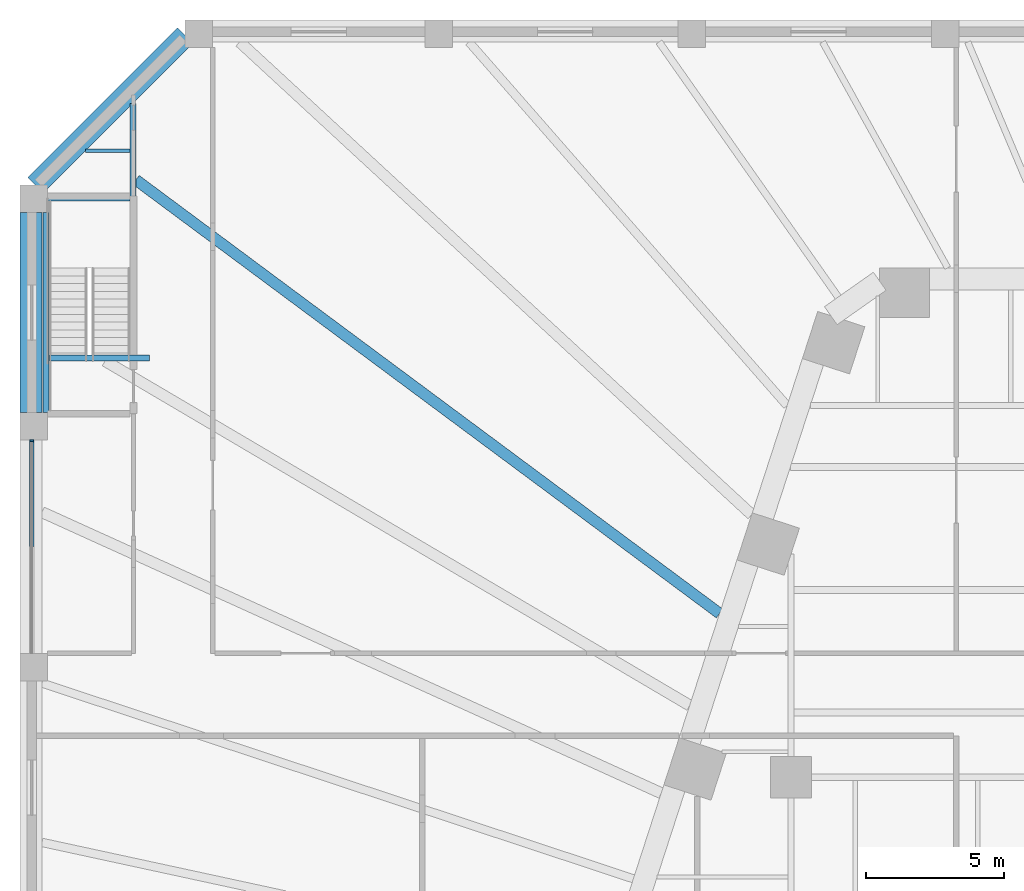
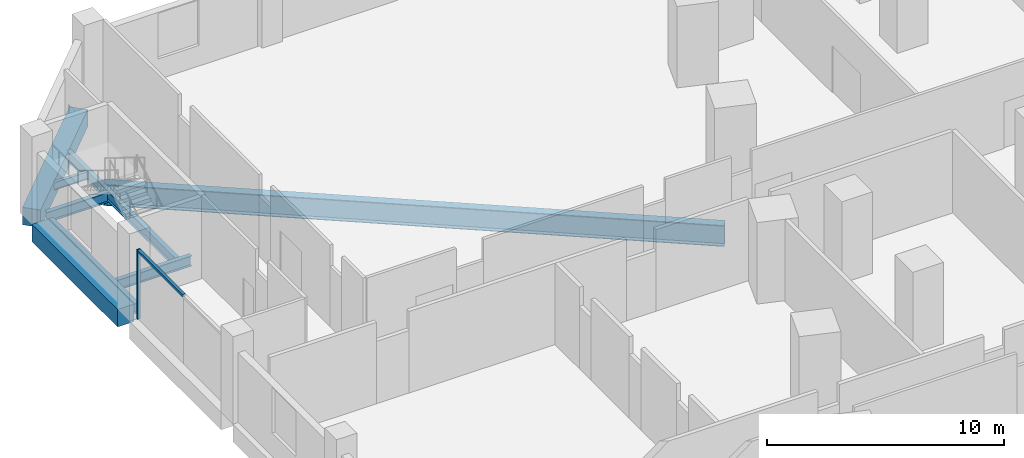
# One storey, part 11 of 29: 8 beams, 2 members, 1 element without a shape of its own.
"""IFC4 building model written with IfcOpenShell, lengths in metres."""

from ifc_helpers import new_model, si_unit, direction, frame, origin, origin_2d, place, context, subcontext, project, spatial, rectangle, i_section, extrude, material, layer, layer_set, material_profile, profile_set, type_object, element, aggregate, save


model = new_model("IFC4")

# Units and contexts
model_context = context("Model", 3, precision=1e-05, world=origin(), true_north=direction((0.0, 1.0)))
body_context = subcontext(model_context, "Body", "Model", "MODEL_VIEW")
ifc_project = project(units=[si_unit("LENGTHUNIT", "METRE"), si_unit("AREAUNIT", "SQUARE_METRE"), si_unit("VOLUMEUNIT", "CUBIC_METRE"), si_unit("PLANEANGLEUNIT", "RADIAN"), si_unit("MASSUNIT", "GRAM", prefix="KILO")], contexts=[model_context])

# Site, building, storey
site_placement = place(None, origin())
site = spatial("IfcSite", under=ifc_project, at=site_placement, CompositionType="ELEMENT")
building_placement = place(site_placement, origin())
building = spatial("IfcBuilding", under=site, at=building_placement, Name="Isthmus Gate Tower", CompositionType="ELEMENT")
storey_placement = place(building_placement, frame((0.0, 0.0, 27.0)))
storey = spatial("IfcBuildingStorey", under=building, at=storey_placement, Name="L04", CompositionType="ELEMENT", Elevation=27.0)

# Curtain wall, members
ifc_material_1 = material(Name="Aluminium, pale champagne anodised", Category="aluminium")
ifc_layer = layer(ifc_material_1, 0.14990234375)
ifc_layer_set = layer_set([ifc_layer], Name="CW-3 STOREFRONT CURTAIN WALL 150 DEEP")
curtain_wall_type = type_object("IfcCurtainWallType", Name="CW-3 STOREFRONT CURTAIN WALL 150 DEEP", PredefinedType="NOTDEFINED", material=ifc_layer_set)
curtain_wall_placement = place(storey_placement, origin())
curtain_wall = element("IfcCurtainWall", 1, at=curtain_wall_placement, inside=storey, type_object=curtain_wall_type, Name="CW-3 W L04", PredefinedType="NOTDEFINED")
ifc_material_2 = material(Name="Aluminium, pale champagne anodised", Category="aluminium")
ifc_material_profile_1 = material_profile(ifc_material_2, rectangle(XDim=0.06005859375, YDim=0.14990234375, at=origin_2d()), Name="60x150")
ifc_profile_set_1 = profile_set([ifc_material_profile_1], Name="Aluminium, pale champagne anodised")
member_type_1 = type_object("IfcMemberType", Name="CW-3 MULLION 60 X 150", PredefinedType="MULLION", material=ifc_profile_set_1)
member_1_placement = place(storey_placement, frame((-51.574951171875, 25.719970703125, -0.300048828125), z_axis=(0.0, 0.0, 1.0), x_axis=(0.0, -1.0, 0.0)))
member_1 = element("IfcMember", 2, at=member_1_placement, type_object=member_type_1, Name="CW-3 mullion", PredefinedType="MULLION", context=body_context, shape_type="SweptSolid", body=[
    extrude(rectangle(XDim=0.06005859375, YDim=0.14990234375, at=origin_2d()), origin(), (0.0, 0.0, 1.0), 3.60009765625),
])
ifc_material_3 = material(Name="Aluminium, pale champagne anodised", Category="aluminium")
ifc_material_profile_2 = material_profile(ifc_material_3, rectangle(XDim=0.14990234375, YDim=0.1201171875, at=origin_2d()), Name="150x120")
ifc_profile_set_2 = profile_set([ifc_material_profile_2], Name="Aluminium, pale champagne anodised")
member_type_2 = type_object("IfcMemberType", Name="CW-3 TRANSOM 150 X 120", PredefinedType="USERDEFINED", material=ifc_profile_set_2)
member_2_placement = place(storey_placement, frame((-51.574951171875, 25.68994140625, 3.239990234375), z_axis=(0.0, -1.0, 0.0), x_axis=(1.0, 0.0, 0.0)))
member_2 = element("IfcMember", 3, at=member_2_placement, type_object=member_type_2, Name="CW-3 transom", ObjectType="TRANSOM", PredefinedType="USERDEFINED", context=body_context, shape_type="SweptSolid", body=[
    extrude(rectangle(XDim=0.14990234375, YDim=0.1201171875, at=origin_2d()), origin(), (0.0, 0.0, 1.0), 3.81494140625),
])
aggregate(curtain_wall, [member_1, member_2])

# Beams
ifc_material_4 = material(Name="Concrete f'c 70 MPa", Category="concrete")
ifc_material_profile_3 = material_profile(ifc_material_4, rectangle(XDim=0.800048828125, YDim=0.89990234375, at=origin_2d()), Name="RC 800X900")
ifc_profile_set_3 = profile_set([ifc_material_profile_3], Name="Concrete f'c 70 MPa")
beam_type_1 = type_object("IfcBeamType", Name="RC EDGE BEAM 800 X 900", PredefinedType="BEAM", material=ifc_profile_set_3)
beam_1_placement = place(storey_placement, frame((-51.60009765625, 26.75, -0.75), z_axis=(0.0, 1.0, 0.0), x_axis=(-1.0, 0.0, 0.0)))
element("IfcBeam", 4, at=beam_1_placement, inside=storey, type_object=beam_type_1, Name="str-edgebeam-L04-07", PredefinedType="BEAM", context=body_context, shape_type="SweptSolid", body=[
    extrude(rectangle(XDim=0.800048828125, YDim=0.89990234375, at=origin_2d()), origin(), (0.0, 0.0, 1.0), 7.25),
])
beam_2_placement = place(storey_placement, frame((-51.434326171875, 35.0, -0.75), z_axis=(0.707106781187, 0.707106781187, 0.0), x_axis=(-0.707106781187, 0.707106781187, 0.0)))
element("IfcBeam", 5, at=beam_2_placement, inside=storey, type_object=beam_type_1, Name="str-edgebeam-L04-08", PredefinedType="BEAM", context=body_context, shape_type="SweptSolid", body=[
    extrude(rectangle(XDim=0.800048828125, YDim=0.89990234375, at=origin_2d()), origin(), (0.0, 0.0, 1.0), 7.685302734375),
])
ifc_material_5 = material(Name="Structural steel ASTM A992 Gr 50", Category="steel")
ifc_material_profile_4 = material_profile(ifc_material_5, i_section(OverallWidth=0.1396484375, OverallDepth=0.4033203125, WebThickness=0.00634765625, FlangeThickness=0.010986328125, at=origin_2d()), Name="W16X31")
ifc_profile_set_4 = profile_set([ifc_material_profile_4], Name="Structural steel ASTM A992 Gr 50")
beam_type_2 = type_object("IfcBeamType", Name="STEEL FLOOR BEAM W16X31", PredefinedType="JOIST", material=ifc_profile_set_4)
beam_3_placement = place(storey_placement, frame((-49.616943359375, 36.25146484375, -0.501708984375), z_axis=(1.0, 0.0, 0.0), x_axis=(0.0, 1.0, 0.0)))
element("IfcBeam", 6, at=beam_3_placement, inside=storey, type_object=beam_type_2, Name="str-beam-L04-04-00", PredefinedType="JOIST", context=body_context, shape_type="SweptSolid", body=[
    extrude(i_section(OverallWidth=0.1396484375, OverallDepth=0.4033203125, WebThickness=0.00634765625, FlangeThickness=0.010986328125, at=origin_2d()), origin(), (0.0, 0.0, 1.0), 1.616943359375),
])
ifc_material_6 = material(Name="Structural steel ASTM A992 Gr 50", Category="steel")
ifc_material_profile_5 = material_profile(ifc_material_6, i_section(OverallWidth=0.39990234375, OverallDepth=1.089111328125, WebThickness=0.017578125, FlangeThickness=0.03173828125, at=origin_2d()), Name="W44X230")
ifc_profile_set_5 = profile_set([ifc_material_profile_5], Name="Structural steel ASTM A992 Gr 50")
beam_type_3 = type_object("IfcBeamType", Name="STEEL FLOOR BEAM W44X230", PredefinedType="JOIST", material=ifc_profile_set_5)
beam_4_placement = place(storey_placement, frame((-26.59326171875, 19.446044921875, -0.844482421875), z_axis=(-0.802712108421, 0.596366725257, 0.0), x_axis=(-0.596366725257, -0.802712108421, 0.0)))
element("IfcBeam", 7, at=beam_4_placement, inside=storey, type_object=beam_type_3, Name="str-beam-L04-19-25", PredefinedType="JOIST", context=body_context, shape_type="SweptSolid", body=[
    extrude(i_section(OverallWidth=0.39990234375, OverallDepth=1.089111328125, WebThickness=0.017578125, FlangeThickness=0.03173828125, at=origin_2d()), origin(), (0.0, 0.0, 1.0), 26.406982421875),
])
ifc_material_7 = material(Name="Structural steel ASTM A992 Gr 50", Category="steel")
ifc_material_profile_6 = material_profile(ifc_material_7, i_section(OverallWidth=0.20947265625, OverallDepth=0.533447265625, WebThickness=0.009521484375, FlangeThickness=0.015869140625, at=origin_2d()), Name="W21X62")
ifc_profile_set_6 = profile_set([ifc_material_profile_6], Name="Structural steel ASTM A992 Gr 50")
beam_type_4 = type_object("IfcBeamType", Name="STEEL TRIMMER W21X62", PredefinedType="BEAM", material=ifc_profile_set_6)
beam_5_placement = place(storey_placement, frame((-47.895263671875, 28.824951171875, -0.566650390625), z_axis=(0.0, 1.0, 0.0), x_axis=(-1.0, 0.0, 0.0)))
element("IfcBeam", 8, at=beam_5_placement, inside=storey, type_object=beam_type_4, Name="str-trimmer-L04-09", PredefinedType="BEAM", context=body_context, shape_type="SweptSolid", body=[
    extrude(i_section(OverallWidth=0.20947265625, OverallDepth=0.533447265625, WebThickness=0.009521484375, FlangeThickness=0.015869140625, at=origin_2d()), origin(), (0.0, 0.0, 1.0), 9.1484375),
])
beam_6_placement = place(storey_placement, frame((-51.0546875, 34.0, -0.566650390625), z_axis=(0.0, -1.0, 0.0), x_axis=(1.0, 0.0, 0.0)))
element("IfcBeam", 9, at=beam_6_placement, inside=storey, type_object=beam_type_4, Name="str-trimmer-L04-10", PredefinedType="BEAM", context=body_context, shape_type="SweptSolid", body=[
    extrude(i_section(OverallWidth=0.20947265625, OverallDepth=0.533447265625, WebThickness=0.009521484375, FlangeThickness=0.015869140625, at=origin_2d()), origin(), (0.0, 0.0, 1.0), 7.25),
])
beam_7_placement = place(storey_placement, frame((-48.0, 34.52978515625, -0.566650390625), z_axis=(-1.0, 0.0, 0.0), x_axis=(0.0, -1.0, 0.0)))
element("IfcBeam", 10, at=beam_7_placement, inside=storey, type_object=beam_type_4, Name="str-trimmer-L04-19", PredefinedType="BEAM", context=body_context, shape_type="SweptSolid", body=[
    extrude(i_section(OverallWidth=0.20947265625, OverallDepth=0.533447265625, WebThickness=0.009521484375, FlangeThickness=0.015869140625, at=origin_2d()), origin(), (0.0, 0.0, 1.0), 3.0),
])
beam_8_placement = place(storey_placement, frame((-50.949951171875, 28.72021484375, -0.566650390625), z_axis=(1.0, 0.0, 0.0), x_axis=(0.0, 1.0, 0.0)))
element("IfcBeam", 11, at=beam_8_placement, inside=storey, type_object=beam_type_4, Name="str-trimmer-L04-20", PredefinedType="BEAM", context=body_context, shape_type="SweptSolid", body=[
    extrude(i_section(OverallWidth=0.20947265625, OverallDepth=0.533447265625, WebThickness=0.009521484375, FlangeThickness=0.015869140625, at=origin_2d()), origin(), (0.0, 0.0, 1.0), 3.64990234375),
])

save(model, "model.ifc")
